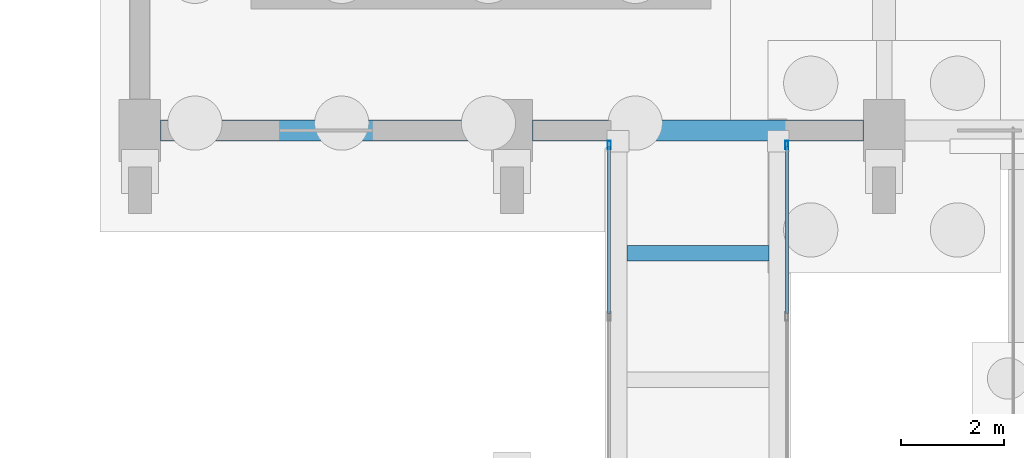
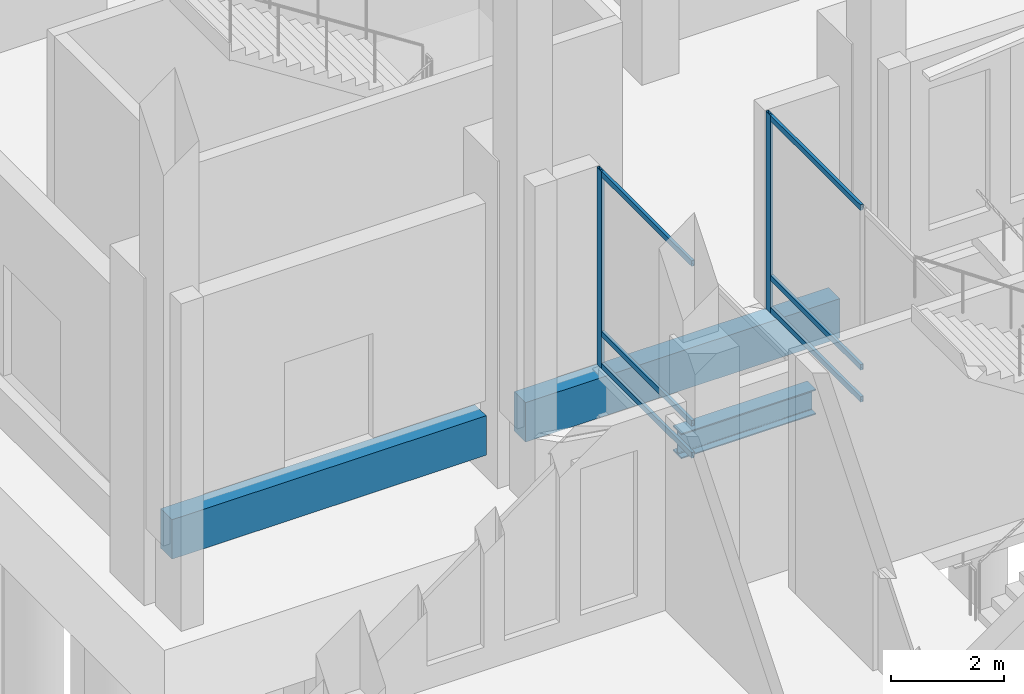
# One storey, part 89 of 192: 8 members, 3 beams, 2 elements without a shape of their own.
"""IFC4 building model written with IfcOpenShell, lengths in metres."""

import ifcopenshell
import ifcopenshell.guid

model = None  # the IFC model being written
_history = None  # IfcOwnerHistory: only IFC2X3 demands one
_inside = {}  # id of a spatial element -> (the spatial element, [elements in it])
_under = {}  # id of a project, library or spatial element -> (it, [spatial elements below it])
_declared = {}  # id of a project -> (the project, [libraries it declares])
_typed = {}  # id of a type object -> (the type object, [elements of that type])
_made_of = {}  # id of a material, layer set ... -> (it, [elements and type objects made of it])


def new_model(schema):
    """Start an empty IFC model of exactly this schema.

    Asked for "IFC4X3", IfcOpenShell would pick the latest addendum, in which some entities
    have other attributes; the version numbers below select the first issue.
    IFC2X3 requires an IfcOwnerHistory on every rooted entity: one is made here for all.
    """
    global model, _history
    if schema == "IFC4X3":
        model = ifcopenshell.file(schema_version=(4, 3, 0, 0))
    else:
        model = ifcopenshell.file(schema=schema)
    _inside.clear()
    _under.clear()
    _declared.clear()
    _typed.clear()
    _made_of.clear()
    _history = None
    if model.schema == "IFC2X3":
        org = make("IfcOrganization", Name="unknown")
        user = make(
            "IfcPersonAndOrganization",
            ThePerson=make("IfcPerson", FamilyName="unknown"),
            TheOrganization=org,
        )
        app = make(
            "IfcApplication",
            ApplicationDeveloper=org,
            Version="unknown",
            ApplicationFullName="unknown",
            ApplicationIdentifier="unknown",
        )
        _history = make(
            "IfcOwnerHistory",
            OwningUser=user,
            OwningApplication=app,
            ChangeAction="ADDED",
            CreationDate=0,
        )
    return model


def make(cls, **values):
    """One entity of the class cls with the attributes given. An attribute that is None is left unset."""
    return model.create_entity(
        cls, **{name: value for name, value in values.items() if value is not None}
    )


def rooted(cls, **values):
    """An entity with a GlobalId (a new one), such as an element, a storey or a relation."""
    return make(cls, GlobalId=ifcopenshell.guid.new(), OwnerHistory=_history, **values)


def si_unit(unit_type, name, prefix=None):
    """IfcSIUnit, for example si_unit("LENGTHUNIT", "METRE", prefix="MILLI")."""
    return make("IfcSIUnit", UnitType=unit_type, Prefix=prefix, Name=name)


def assignment(units):
    """IfcUnitAssignment: the units of a project."""
    return None if units is None else make("IfcUnitAssignment", Units=units)


def point(xyz):
    """IfcCartesianPoint."""
    return None if xyz is None else make("IfcCartesianPoint", Coordinates=xyz)


def direction(xyz):
    """IfcDirection."""
    return None if xyz is None else make("IfcDirection", DirectionRatios=xyz)


def frame(location, z_axis=None, x_axis=None):
    """IfcAxis2Placement3D, a coordinate frame: its origin and axes. An axis left out is left unset."""
    return make(
        "IfcAxis2Placement3D",
        Location=point(location),
        Axis=direction(z_axis),
        RefDirection=direction(x_axis),
    )


def frame_2d(location, x_axis=None):
    """IfcAxis2Placement2D, a coordinate frame in the plane: its origin and x axis."""
    return make(
        "IfcAxis2Placement2D", Location=point(location), RefDirection=direction(x_axis)
    )


def origin():
    """The frame at (0, 0, 0) with its axes left unset."""
    return frame((0.0, 0.0, 0.0))


def origin_2d():
    """The frame at (0, 0) in the plane with its x axis left unset."""
    return frame_2d((0.0, 0.0))


def place(relative_to, where):
    """IfcLocalPlacement: puts the frame where relative to a parent placement (None: the world)."""
    return make(
        "IfcLocalPlacement", PlacementRelTo=relative_to, RelativePlacement=where
    )


def context(
    kind, dimensions, precision=None, world=None, true_north=None, identifier=None
):
    """IfcGeometricRepresentationContext, for example the 3D "Model" context."""
    return make(
        "IfcGeometricRepresentationContext",
        ContextIdentifier=identifier,
        ContextType=kind,
        CoordinateSpaceDimension=dimensions,
        Precision=precision,
        WorldCoordinateSystem=world,
        TrueNorth=true_north,
    )


def subcontext(parent, identifier, kind, view, scale=None):
    """IfcGeometricRepresentationSubContext, for example "Body" below "Model"."""
    return make(
        "IfcGeometricRepresentationSubContext",
        ContextIdentifier=identifier,
        ContextType=kind,
        ParentContext=parent,
        TargetScale=scale,
        TargetView=view,
    )


def project(units=None, contexts=None):
    """IfcProject with its units and contexts."""
    return rooted(
        "IfcProject",
        Name="project",
        RepresentationContexts=contexts,
        UnitsInContext=assignment(units),
    )


def spatial(cls, under=None, at=None, **own):
    """A site, building, storey or space (cls), placed at a placement, below another one or the project."""
    s = rooted(cls, ObjectPlacement=at, **own)
    if under is not None:
        _under.setdefault(under.id(), (under, []))[1].append(s)
    return s


def profile(cls, at=None, kind="AREA", **sizes):
    """A parametric profile (cls). Its sizes go by their IFC names, for example OverallWidth=200.0."""
    return make(cls, ProfileType=kind, Position=at, **sizes)


def rectangle(**sizes):
    """IfcRectangleProfileDef."""
    return profile("IfcRectangleProfileDef", **sizes)


def hollow_rectangle(**sizes):
    """IfcRectangleHollowProfileDef."""
    return profile("IfcRectangleHollowProfileDef", **sizes)


def i_section(**sizes):
    """IfcIShapeProfileDef."""
    return profile("IfcIShapeProfileDef", **sizes)


def extrude(swept, where, along, depth):
    """IfcExtrudedAreaSolid: the profile swept, set in the frame where, extruded along a direction by depth."""
    return make(
        "IfcExtrudedAreaSolid",
        SweptArea=swept,
        Position=where,
        ExtrudedDirection=direction(along),
        Depth=depth,
    )


def shape(context_of_items, identifier, shape_type, items):
    """IfcShapeRepresentation: the items that make up one representation, for example the "Body"."""
    return make(
        "IfcShapeRepresentation",
        ContextOfItems=context_of_items,
        RepresentationIdentifier=identifier,
        RepresentationType=shape_type,
        Items=items,
    )


def material(Name=None, Category=None):
    """IfcMaterial."""
    return make("IfcMaterial", Name=Name, Category=Category)


def material_profile(
    of_material, cross_section, Name=None, Category=None, Priority=None
):
    """IfcMaterialProfile: a cross section and its material."""
    return make(
        "IfcMaterialProfile",
        Name=Name,
        Material=of_material,
        Profile=cross_section,
        Priority=Priority,
        Category=Category,
    )


def profile_set(profiles, Name=None, composite=None):
    """IfcMaterialProfileSet."""
    return make(
        "IfcMaterialProfileSet",
        Name=Name,
        MaterialProfiles=profiles,
        CompositeProfile=composite,
    )


def made_of(thing, what):
    """Note that an element or type object is made of a material, layer set ...; save() writes the relation."""
    if what is not None:
        _made_of.setdefault(what.id(), (what, []))[1].append(thing)
    return thing


def type_object(cls, material=None, **own):
    """A type object (cls), such as IfcWallType, which elements share."""
    return made_of(rooted(cls, **own), material)


def element(
    cls,
    number,
    at=None,
    inside=None,
    cuts=None,
    type_object=None,
    material=None,
    context=None,
    identifier="Body",
    shape_type=None,
    held_by="IfcProductDefinitionShape",
    body=None,
    shapes=None,
    **own,
):
    """One element of the class cls, such as IfcWall. Its Tag is "e" and its number.

    at: its placement. inside: the storey or other place that contains it. cuts: it is an
    opening in that element (IfcRelVoidsElement). A single representation is given by context,
    identifier, shape_type and body (its items); several are given by shapes. held_by: the class
    of the entity that holds the representations. save() writes the other relations.
    """
    e = rooted(cls, Tag="e%d" % number, ObjectPlacement=at, **own)
    if body is not None:
        shapes = [shape(context, identifier, shape_type, body)]
    if shapes is not None:
        e.Representation = make(held_by, Representations=shapes)
    if inside is not None:
        _inside.setdefault(inside.id(), (inside, []))[1].append(e)
    if cuts is not None:
        rooted(
            "IfcRelVoidsElement", RelatingBuildingElement=cuts, RelatedOpeningElement=e
        )
    if type_object is not None:
        _typed.setdefault(type_object.id(), (type_object, []))[1].append(e)
    return made_of(e, material)


def aggregate(whole, parts):
    """IfcRelAggregates: a whole, such as a stair, and the parts it consists of."""
    return rooted("IfcRelAggregates", RelatingObject=whole, RelatedObjects=parts)


def save(model, path):
    """Write the relations noted so far, then the file.

    IfcRelAggregates (storeys below a building ...), IfcRelContainedInSpatialStructure (elements
    in a storey), IfcRelDefinesByType, IfcRelAssociatesMaterial and IfcRelDeclares: one each for
    every whole, place, type object, material and project.
    """
    for whole, parts in _under.values():
        aggregate(whole, parts)
    for where, things in _inside.values():
        rooted(
            "IfcRelContainedInSpatialStructure",
            RelatedElements=things,
            RelatingStructure=where,
        )
    for kind, things in _typed.values():
        rooted("IfcRelDefinesByType", RelatedObjects=things, RelatingType=kind)
    for what, things in _made_of.values():
        rooted("IfcRelAssociatesMaterial", RelatedObjects=things, RelatingMaterial=what)
    for by, libraries in _declared.values():
        rooted("IfcRelDeclares", RelatingContext=by, RelatedDefinitions=libraries)
    model.write(path)


model = new_model("IFC4")

# Units and contexts
model_context = context("Model", 3, precision=1e-05, world=origin(), true_north=direction((0.0, 1.0)))
body_context = subcontext(model_context, "Body", "Model", "MODEL_VIEW")
ifc_project = project(units=[si_unit("LENGTHUNIT", "METRE"), si_unit("AREAUNIT", "SQUARE_METRE"), si_unit("VOLUMEUNIT", "CUBIC_METRE"), si_unit("PLANEANGLEUNIT", "RADIAN"), si_unit("MASSUNIT", "GRAM", prefix="KILO")], contexts=[model_context])

# Site, building, storey
site_placement = place(None, origin())
site = spatial("IfcSite", under=ifc_project, at=site_placement, CompositionType="ELEMENT")
building_placement = place(site_placement, origin())
building = spatial("IfcBuilding", under=site, at=building_placement, Name="Cendralis Lancet Convention Centre", CompositionType="ELEMENT")
storey_placement = place(building_placement, origin())
storey = spatial("IfcBuildingStorey", under=building, at=storey_placement, Name="L00", CompositionType="ELEMENT", Elevation=0.0)

# Curtain wall, member
ifc_material_1 = material(Name="Anodised bronze architectural aluminium", Category="aluminium")
curtain_wall_type = type_object("IfcCurtainWallType", Name="ARC-CW-BR01", PredefinedType="USERDEFINED", material=ifc_material_1)
curtain_wall_1_placement = place(storey_placement, origin())
curtain_wall_1 = element("IfcCurtainWall", 1, at=curtain_wall_1_placement, inside=storey, type_object=curtain_wall_type, Name="L00 Curtain Wall CW-BR1 #211", ObjectType="CURTAIN WALL", PredefinedType="USERDEFINED")
ifc_material_profile_1 = material_profile(ifc_material_1, hollow_rectangle(XDim=0.06005859375, YDim=0.159912109375, WallThickness=0.00390625, at=origin_2d()), Name="AL-MULL 60x160x4.0")
ifc_profile_set_1 = profile_set([ifc_material_profile_1], Name="Anodised bronze architectural aluminium")
member_type_1 = type_object("IfcMemberType", Name="ARC-CW-ML01", PredefinedType="MULLION", material=ifc_profile_set_1)
member_1_placement = place(storey_placement, frame((148.280029296875, 42.919921875, 0.0), z_axis=(0.0, 0.0, 1.0), x_axis=(1.0, 0.0, 0.0)))
member_1 = element("IfcMember", 2, at=member_1_placement, type_object=member_type_1, Name="Mullion CW2-CW-BR1-L00-211-M2", PredefinedType="MULLION", context=body_context, shape_type="SweptSolid", body=[
    extrude(hollow_rectangle(XDim=0.06005859375, YDim=0.159912109375, WallThickness=0.00390625, at=origin_2d()), origin(), (0.0, 0.0, 1.0), 4.25),
])

curtain_wall_2_placement = place(storey_placement, origin())
curtain_wall_2 = element("IfcCurtainWall", 3, at=curtain_wall_2_placement, inside=storey, type_object=curtain_wall_type, Name="L00 Curtain Wall CW-BR1 #212", ObjectType="CURTAIN WALL", PredefinedType="USERDEFINED")
member_2_placement = place(storey_placement, frame((151.719970703125, 42.919921875, 0.0), z_axis=(0.0, 0.0, 1.0), x_axis=(1.0, 0.0, 0.0)))
member_2 = element("IfcMember", 4, at=member_2_placement, type_object=member_type_1, Name="Mullion CW2-CW-BR1-L00-212-M2", PredefinedType="MULLION", context=body_context, shape_type="SweptSolid", body=[
    extrude(hollow_rectangle(XDim=0.06005859375, YDim=0.159912109375, WallThickness=0.00390625, at=origin_2d()), origin(), (0.0, 0.0, 1.0), 4.25),
])

# Member
ifc_material_profile_2 = material_profile(ifc_material_1, hollow_rectangle(XDim=0.06005859375, YDim=0.1201171875, WallThickness=0.00390625, at=origin_2d()), Name="AL-TRAN 60x120x4.0")
ifc_profile_set_2 = profile_set([ifc_material_profile_2], Name="Anodised bronze architectural aluminium")
member_type_2 = type_object("IfcMemberType", Name="ARC-CW-TR01", PredefinedType="USERDEFINED", material=ifc_profile_set_2)
member_3_placement = place(storey_placement, frame((148.280029296875, 39.659912109375, 0.06005859375), z_axis=(0.0, 1.0, 0.0), x_axis=(-1.0, 0.0, 0.0)))
member_3 = element("IfcMember", 5, at=member_3_placement, type_object=member_type_2, Name="Transom CW2-CW-BR1-L00-211-T1BOT", ObjectType="TRANSOM", PredefinedType="USERDEFINED", context=body_context, shape_type="SweptSolid", body=[
    extrude(hollow_rectangle(XDim=0.06005859375, YDim=0.1201171875, WallThickness=0.00390625, at=origin_2d()), origin(), (0.0, 0.0, 1.0), 3.22998046875),
])

member_4_placement = place(storey_placement, frame((148.280029296875, 39.659912109375, 0.75), z_axis=(0.0, 1.0, 0.0), x_axis=(-1.0, 0.0, 0.0)))
member_4 = element("IfcMember", 6, at=member_4_placement, type_object=member_type_2, Name="Transom CW2-CW-BR1-L00-211-T1MID", ObjectType="TRANSOM", PredefinedType="USERDEFINED", context=body_context, shape_type="SweptSolid", body=[
    extrude(hollow_rectangle(XDim=0.06005859375, YDim=0.1201171875, WallThickness=0.00390625, at=origin_2d()), origin(), (0.0, 0.0, 1.0), 3.22998046875),
])

member_5_placement = place(storey_placement, frame((148.280029296875, 39.659912109375, 4.18994140625), z_axis=(0.0, 1.0, 0.0), x_axis=(-1.0, 0.0, 0.0)))
member_5 = element("IfcMember", 7, at=member_5_placement, type_object=member_type_2, Name="Transom CW2-CW-BR1-L00-211-T1TOP", ObjectType="TRANSOM", PredefinedType="USERDEFINED", context=body_context, shape_type="SweptSolid", body=[
    extrude(hollow_rectangle(XDim=0.06005859375, YDim=0.1201171875, WallThickness=0.00390625, at=origin_2d()), origin(), (0.0, 0.0, 1.0), 3.22998046875),
])

aggregate(curtain_wall_1, [member_1, member_3, member_4, member_5])

member_6_placement = place(storey_placement, frame((151.719970703125, 39.659912109375, 0.06005859375), z_axis=(0.0, 1.0, 0.0), x_axis=(-1.0, 0.0, 0.0)))
member_6 = element("IfcMember", 8, at=member_6_placement, type_object=member_type_2, Name="Transom CW2-CW-BR1-L00-212-T1BOT", ObjectType="TRANSOM", PredefinedType="USERDEFINED", context=body_context, shape_type="SweptSolid", body=[
    extrude(hollow_rectangle(XDim=0.06005859375, YDim=0.1201171875, WallThickness=0.00390625, at=origin_2d()), origin(), (0.0, 0.0, 1.0), 3.22998046875),
])

member_7_placement = place(storey_placement, frame((151.719970703125, 39.659912109375, 0.75), z_axis=(0.0, 1.0, 0.0), x_axis=(-1.0, 0.0, 0.0)))
member_7 = element("IfcMember", 9, at=member_7_placement, type_object=member_type_2, Name="Transom CW2-CW-BR1-L00-212-T1MID", ObjectType="TRANSOM", PredefinedType="USERDEFINED", context=body_context, shape_type="SweptSolid", body=[
    extrude(hollow_rectangle(XDim=0.06005859375, YDim=0.1201171875, WallThickness=0.00390625, at=origin_2d()), origin(), (0.0, 0.0, 1.0), 3.22998046875),
])

member_8_placement = place(storey_placement, frame((151.719970703125, 39.659912109375, 4.18994140625), z_axis=(0.0, 1.0, 0.0), x_axis=(-1.0, 0.0, 0.0)))
member_8 = element("IfcMember", 10, at=member_8_placement, type_object=member_type_2, Name="Transom CW2-CW-BR1-L00-212-T1TOP", ObjectType="TRANSOM", PredefinedType="USERDEFINED", context=body_context, shape_type="SweptSolid", body=[
    extrude(hollow_rectangle(XDim=0.06005859375, YDim=0.1201171875, WallThickness=0.00390625, at=origin_2d()), origin(), (0.0, 0.0, 1.0), 3.22998046875),
])

aggregate(curtain_wall_2, [member_2, member_6, member_7, member_8])

# Beams
ifc_material_2 = material(Name="Steel S355", Category="steel")
ifc_material_profile_3 = material_profile(ifc_material_2, i_section(OverallWidth=0.300048828125, OverallDepth=0.5400390625, WebThickness=0.012451171875, FlangeThickness=0.02392578125, FilletRadius=0.027099609375, at=origin_2d()), Name="HEA 550")
ifc_profile_set_3 = profile_set([ifc_material_profile_3], Name="Steel S355")
beam_type_1 = type_object("IfcBeamType", Name="STR-BM-SG11", PredefinedType="BEAM", material=ifc_profile_set_3)
beam_placement = place(storey_placement, frame((148.6298828125, 40.823974609375, -0.489990234375), z_axis=(1.0, 0.0, 0.0), x_axis=(0.0, 1.0, 0.0)))
element("IfcBeam", 11, at=beam_placement, inside=storey, type_object=beam_type_1, Name="L00 Beam SG11 #1931", PredefinedType="BEAM", context=body_context, shape_type="SweptSolid", body=[
    extrude(i_section(OverallWidth=0.300048828125, OverallDepth=0.5400390625, WebThickness=0.012451171875, FlangeThickness=0.02392578125, FilletRadius=0.027099609375, at=origin_2d()), origin(), (0.0, 0.0, 1.0), 2.740234375),
])
ifc_material_3 = material(Name="Concrete G40 (C40/50)", Category="concrete")
ifc_material_profile_4 = material_profile(ifc_material_3, rectangle(XDim=0.39990234375, YDim=0.85009765625, at=origin_2d()), Name="RCB 400x850")
ifc_profile_set_4 = profile_set([ifc_material_profile_4], Name="Concrete G40 (C40/50)")
beam_type_2 = type_object("IfcBeamType", Name="STR-SP-SP02", PredefinedType="SPANDREL", material=ifc_profile_set_4)
for number, where, z_axis, x_axis, name in (
    (12, (139.60009765625, 43.199951171875, -0.7451171875), (1.0, 0.0, 0.0), (0.0, 1.0, 0.0), "L00 Beam SP02 #1337"),
    (13, (146.800048828125, 43.199951171875, -0.7451171875), (1.0, 0.0, 0.0), (0.0, 1.0, 0.0), "L00 Beam SP02 #1338"),
):
    element("IfcBeam", number, at=place(storey_placement, frame(where, z_axis=z_axis, x_axis=x_axis)), inside=storey, type_object=beam_type_2, Name=name, PredefinedType="SPANDREL", context=body_context, shape_type="SweptSolid", body=[
        extrude(rectangle(XDim=0.39990234375, YDim=0.85009765625, at=origin_2d()), origin(), (0.0, 0.0, 1.0), 6.39990234375),
    ])

save(model, "model.ifc")
